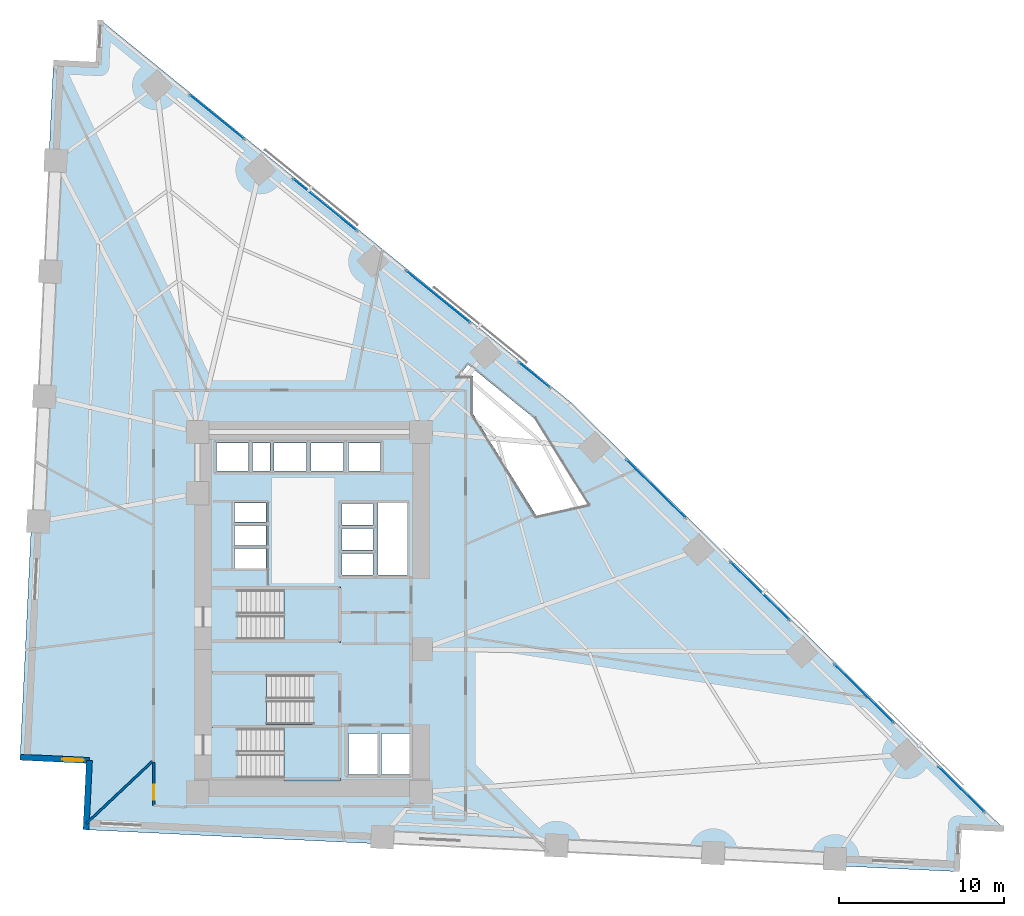
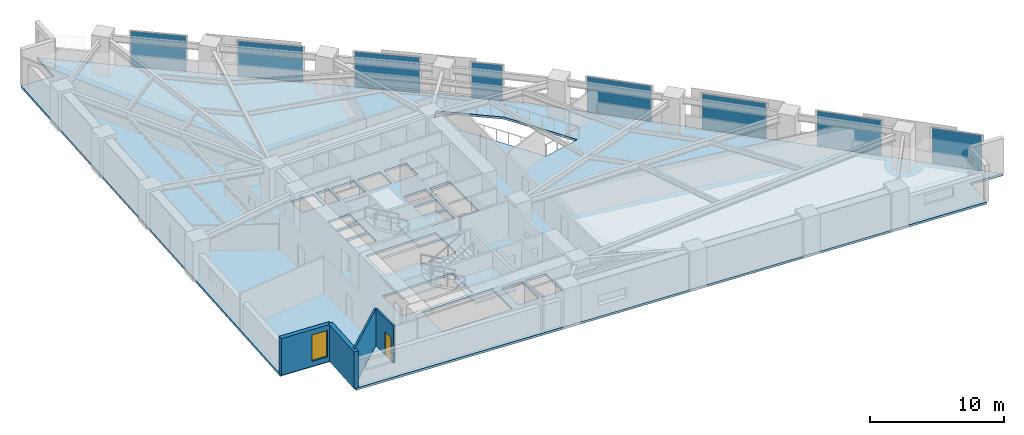
# One storey, part 12 of 17: 8 plates, 4 slabs, 4 walls, 1 door, 1 window, 2 openings, 11 elements without a shape of their own.
"""IFC4 building model written with IfcOpenShell, lengths in metres."""

import ifcopenshell
import ifcopenshell.guid

model = None  # the IFC model being written
_history = None  # IfcOwnerHistory: only IFC2X3 demands one
_inside = {}  # id of a spatial element -> (the spatial element, [elements in it])
_under = {}  # id of a project, library or spatial element -> (it, [spatial elements below it])
_declared = {}  # id of a project -> (the project, [libraries it declares])
_typed = {}  # id of a type object -> (the type object, [elements of that type])
_made_of = {}  # id of a material, layer set ... -> (it, [elements and type objects made of it])


def new_model(schema):
    """Start an empty IFC model of exactly this schema.

    Asked for "IFC4X3", IfcOpenShell would pick the latest addendum, in which some entities
    have other attributes; the version numbers below select the first issue.
    IFC2X3 requires an IfcOwnerHistory on every rooted entity: one is made here for all.
    """
    global model, _history
    if schema == "IFC4X3":
        model = ifcopenshell.file(schema_version=(4, 3, 0, 0))
    else:
        model = ifcopenshell.file(schema=schema)
    _inside.clear()
    _under.clear()
    _declared.clear()
    _typed.clear()
    _made_of.clear()
    _history = None
    if model.schema == "IFC2X3":
        org = make("IfcOrganization", Name="unknown")
        user = make(
            "IfcPersonAndOrganization",
            ThePerson=make("IfcPerson", FamilyName="unknown"),
            TheOrganization=org,
        )
        app = make(
            "IfcApplication",
            ApplicationDeveloper=org,
            Version="unknown",
            ApplicationFullName="unknown",
            ApplicationIdentifier="unknown",
        )
        _history = make(
            "IfcOwnerHistory",
            OwningUser=user,
            OwningApplication=app,
            ChangeAction="ADDED",
            CreationDate=0,
        )
    return model


def make(cls, **values):
    """One entity of the class cls with the attributes given. An attribute that is None is left unset."""
    return model.create_entity(
        cls, **{name: value for name, value in values.items() if value is not None}
    )


def rooted(cls, **values):
    """An entity with a GlobalId (a new one), such as an element, a storey or a relation."""
    return make(cls, GlobalId=ifcopenshell.guid.new(), OwnerHistory=_history, **values)


def si_unit(unit_type, name, prefix=None):
    """IfcSIUnit, for example si_unit("LENGTHUNIT", "METRE", prefix="MILLI")."""
    return make("IfcSIUnit", UnitType=unit_type, Prefix=prefix, Name=name)


def assignment(units):
    """IfcUnitAssignment: the units of a project."""
    return None if units is None else make("IfcUnitAssignment", Units=units)


def point(xyz):
    """IfcCartesianPoint."""
    return None if xyz is None else make("IfcCartesianPoint", Coordinates=xyz)


def direction(xyz):
    """IfcDirection."""
    return None if xyz is None else make("IfcDirection", DirectionRatios=xyz)


def frame(location, z_axis=None, x_axis=None):
    """IfcAxis2Placement3D, a coordinate frame: its origin and axes. An axis left out is left unset."""
    return make(
        "IfcAxis2Placement3D",
        Location=point(location),
        Axis=direction(z_axis),
        RefDirection=direction(x_axis),
    )


def frame_2d(location, x_axis=None):
    """IfcAxis2Placement2D, a coordinate frame in the plane: its origin and x axis."""
    return make(
        "IfcAxis2Placement2D", Location=point(location), RefDirection=direction(x_axis)
    )


def origin():
    """The frame at (0, 0, 0) with its axes left unset."""
    return frame((0.0, 0.0, 0.0))


def origin_2d():
    """The frame at (0, 0) in the plane with its x axis left unset."""
    return frame_2d((0.0, 0.0))


def place(relative_to, where):
    """IfcLocalPlacement: puts the frame where relative to a parent placement (None: the world)."""
    return make(
        "IfcLocalPlacement", PlacementRelTo=relative_to, RelativePlacement=where
    )


def context(
    kind, dimensions, precision=None, world=None, true_north=None, identifier=None
):
    """IfcGeometricRepresentationContext, for example the 3D "Model" context."""
    return make(
        "IfcGeometricRepresentationContext",
        ContextIdentifier=identifier,
        ContextType=kind,
        CoordinateSpaceDimension=dimensions,
        Precision=precision,
        WorldCoordinateSystem=world,
        TrueNorth=true_north,
    )


def subcontext(parent, identifier, kind, view, scale=None):
    """IfcGeometricRepresentationSubContext, for example "Body" below "Model"."""
    return make(
        "IfcGeometricRepresentationSubContext",
        ContextIdentifier=identifier,
        ContextType=kind,
        ParentContext=parent,
        TargetScale=scale,
        TargetView=view,
    )


def project(units=None, contexts=None):
    """IfcProject with its units and contexts."""
    return rooted(
        "IfcProject",
        Name="project",
        RepresentationContexts=contexts,
        UnitsInContext=assignment(units),
    )


def spatial(cls, under=None, at=None, **own):
    """A site, building, storey or space (cls), placed at a placement, below another one or the project."""
    s = rooted(cls, ObjectPlacement=at, **own)
    if under is not None:
        _under.setdefault(under.id(), (under, []))[1].append(s)
    return s


def polyline(points):
    """IfcPolyline through the points."""
    return make("IfcPolyline", Points=[point(p) for p in points])


def profile(cls, at=None, kind="AREA", **sizes):
    """A parametric profile (cls). Its sizes go by their IFC names, for example OverallWidth=200.0."""
    return make(cls, ProfileType=kind, Position=at, **sizes)


def rectangle(**sizes):
    """IfcRectangleProfileDef."""
    return profile("IfcRectangleProfileDef", **sizes)


def outline(outer, holes=None, kind="AREA"):
    """IfcArbitraryClosedProfileDef: a profile drawn as a closed curve; with holes, ...WithVoids."""
    if holes is None:
        return make("IfcArbitraryClosedProfileDef", ProfileType=kind, OuterCurve=outer)
    return make(
        "IfcArbitraryProfileDefWithVoids",
        ProfileType=kind,
        OuterCurve=outer,
        InnerCurves=holes,
    )


def extrude(swept, where, along, depth):
    """IfcExtrudedAreaSolid: the profile swept, set in the frame where, extruded along a direction by depth."""
    return make(
        "IfcExtrudedAreaSolid",
        SweptArea=swept,
        Position=where,
        ExtrudedDirection=direction(along),
        Depth=depth,
    )


def shape(context_of_items, identifier, shape_type, items):
    """IfcShapeRepresentation: the items that make up one representation, for example the "Body"."""
    return make(
        "IfcShapeRepresentation",
        ContextOfItems=context_of_items,
        RepresentationIdentifier=identifier,
        RepresentationType=shape_type,
        Items=items,
    )


def material(Name=None, Category=None):
    """IfcMaterial."""
    return make("IfcMaterial", Name=Name, Category=Category)


def layer(
    of_material, thickness, ventilated=None, Name=None, Category=None, Priority=None
):
    """IfcMaterialLayer: one layer of a wall or slab, of a material (None: an air gap)."""
    return make(
        "IfcMaterialLayer",
        Material=of_material,
        LayerThickness=thickness,
        IsVentilated=ventilated,
        Name=Name,
        Category=Category,
        Priority=Priority,
    )


def layer_set(layers, Name=None):
    """IfcMaterialLayerSet."""
    return make("IfcMaterialLayerSet", MaterialLayers=layers, LayerSetName=Name)


def made_of(thing, what):
    """Note that an element or type object is made of a material, layer set ...; save() writes the relation."""
    if what is not None:
        _made_of.setdefault(what.id(), (what, []))[1].append(thing)
    return thing


def type_object(cls, material=None, **own):
    """A type object (cls), such as IfcWallType, which elements share."""
    return made_of(rooted(cls, **own), material)


def element(
    cls,
    number,
    at=None,
    inside=None,
    cuts=None,
    type_object=None,
    material=None,
    context=None,
    identifier="Body",
    shape_type=None,
    held_by="IfcProductDefinitionShape",
    body=None,
    shapes=None,
    **own,
):
    """One element of the class cls, such as IfcWall. Its Tag is "e" and its number.

    at: its placement. inside: the storey or other place that contains it. cuts: it is an
    opening in that element (IfcRelVoidsElement). A single representation is given by context,
    identifier, shape_type and body (its items); several are given by shapes. held_by: the class
    of the entity that holds the representations. save() writes the other relations.
    """
    e = rooted(cls, Tag="e%d" % number, ObjectPlacement=at, **own)
    if body is not None:
        shapes = [shape(context, identifier, shape_type, body)]
    if shapes is not None:
        e.Representation = make(held_by, Representations=shapes)
    if inside is not None:
        _inside.setdefault(inside.id(), (inside, []))[1].append(e)
    if cuts is not None:
        rooted(
            "IfcRelVoidsElement", RelatingBuildingElement=cuts, RelatedOpeningElement=e
        )
    if type_object is not None:
        _typed.setdefault(type_object.id(), (type_object, []))[1].append(e)
    return made_of(e, material)


def fill(opening, filler):
    """IfcRelFillsElement: the door or window that sits in an opening."""
    return rooted(
        "IfcRelFillsElement",
        RelatingOpeningElement=opening,
        RelatedBuildingElement=filler,
    )


def aggregate(whole, parts):
    """IfcRelAggregates: a whole, such as a stair, and the parts it consists of."""
    return rooted("IfcRelAggregates", RelatingObject=whole, RelatedObjects=parts)


def save(model, path):
    """Write the relations noted so far, then the file.

    IfcRelAggregates (storeys below a building ...), IfcRelContainedInSpatialStructure (elements
    in a storey), IfcRelDefinesByType, IfcRelAssociatesMaterial and IfcRelDeclares: one each for
    every whole, place, type object, material and project.
    """
    for whole, parts in _under.values():
        aggregate(whole, parts)
    for where, things in _inside.values():
        rooted(
            "IfcRelContainedInSpatialStructure",
            RelatedElements=things,
            RelatingStructure=where,
        )
    for kind, things in _typed.values():
        rooted("IfcRelDefinesByType", RelatedObjects=things, RelatingType=kind)
    for what, things in _made_of.values():
        rooted("IfcRelAssociatesMaterial", RelatedObjects=things, RelatingMaterial=what)
    for by, libraries in _declared.values():
        rooted("IfcRelDeclares", RelatingContext=by, RelatedDefinitions=libraries)
    model.write(path)


model = new_model("IFC4")

# Units and contexts
model_context = context("Model", 3, precision=1e-05, world=origin(), true_north=direction((0.0, 1.0)))
body_context = subcontext(model_context, "Body", "Model", "MODEL_VIEW")
ifc_project = project(units=[si_unit("LENGTHUNIT", "METRE"), si_unit("AREAUNIT", "SQUARE_METRE"), si_unit("VOLUMEUNIT", "CUBIC_METRE"), si_unit("PLANEANGLEUNIT", "RADIAN"), si_unit("MASSUNIT", "GRAM", prefix="KILO")], contexts=[model_context])

# Site, building, storey
site_placement = place(None, origin())
site = spatial("IfcSite", under=ifc_project, at=site_placement, CompositionType="ELEMENT")
building_placement = place(site_placement, origin())
building = spatial("IfcBuilding", under=site, at=building_placement, Name="Narakoshi Arena Tower", CompositionType="ELEMENT")
storey_placement = place(building_placement, frame((0.0, 0.0, 33.89990234375)))
storey = spatial("IfcBuildingStorey", under=building, at=storey_placement, Name="L08", CompositionType="ELEMENT", Elevation=33.89990234375)

# Curtain wall, plate
ifc_material_1 = material(Name="Anodised bronze aluminium 6063-T6", Category="aluminium")
curtain_wall_type = type_object("IfcCurtainWallType", Name="CW-HYP-LOW", PredefinedType="NOTDEFINED", material=ifc_material_1)
curtain_wall_1_placement = place(storey_placement, origin())
curtain_wall_1 = element("IfcCurtainWall", 1, at=curtain_wall_1_placement, inside=storey, type_object=curtain_wall_type, Name="L08 Folded Hypotenuse Curtain Wall 1-1", PredefinedType="NOTDEFINED")
ifc_material_2 = material(Name="Bronze-tinted low-E laminated glass", Category="glass")
ifc_layer_1 = layer(ifc_material_2, 0.031982421875)
ifc_layer_set_1 = layer_set([ifc_layer_1], Name="Bronze-tinted low-E laminated glass")
plate_type = type_object("IfcPlateType", Name="PLT-GLZ-32", PredefinedType="CURTAIN_PANEL", material=ifc_layer_set_1)
plate_1_placement = place(storey_placement, frame((118.277587890625, 34.8505859375, 0.065185546875), z_axis=(0.0, 0.0, 1.0), x_axis=(-0.712541277695, 0.701630192894, 0.0)))
plate_1 = element("IfcPlate", 2, at=plate_1_placement, type_object=plate_type, Name="CW-01 panel 1.1", PredefinedType="CURTAIN_PANEL", context=body_context, shape_type="SweptSolid", body=[
    extrude(rectangle(XDim=3.85498046875, YDim=0.031982421875, at=origin_2d()), origin(), (0.0, 0.0, 1.0), 3.2099609375),
])
aggregate(curtain_wall_1, [plate_1])

curtain_wall_2_placement = place(storey_placement, origin())
curtain_wall_2 = element("IfcCurtainWall", 3, at=curtain_wall_2_placement, inside=storey, type_object=curtain_wall_type, Name="L08 Folded Hypotenuse Curtain Wall 1-2", PredefinedType="NOTDEFINED")
plate_2_placement = place(storey_placement, frame((112.375, 40.66259765625, 0.065185546875), z_axis=(0.0, 0.0, 1.0), x_axis=(-0.712548329451, 0.701623031404, 0.0)))
plate_2 = element("IfcPlate", 4, at=plate_2_placement, type_object=plate_type, Name="CW-01 panel 1.1", PredefinedType="CURTAIN_PANEL", context=body_context, shape_type="SweptSolid", body=[
    extrude(rectangle(XDim=4.966552734375, YDim=0.031982421875, at=origin_2d()), origin(), (0.0, 0.0, 1.0), 3.2099609375),
])
aggregate(curtain_wall_2, [plate_2])

curtain_wall_3_placement = place(storey_placement, origin())
curtain_wall_3 = element("IfcCurtainWall", 5, at=curtain_wall_3_placement, inside=storey, type_object=curtain_wall_type, Name="L08 Folded Hypotenuse Curtain Wall 1-3", PredefinedType="NOTDEFINED")
plate_3_placement = place(storey_placement, frame((106.07666015625, 46.864501953125, 0.065185546875), z_axis=(0.0, 0.0, 1.0), x_axis=(-0.712538708053, 0.701632802488, 0.0)))
plate_3 = element("IfcPlate", 6, at=plate_3_placement, type_object=plate_type, Name="CW-01 panel 1.1", PredefinedType="CURTAIN_PANEL", context=body_context, shape_type="SweptSolid", body=[
    extrude(rectangle(XDim=4.966552734375, YDim=0.031982421875, at=origin_2d()), origin(), (0.0, 0.0, 1.0), 3.2099609375),
])
aggregate(curtain_wall_3, [plate_3])

curtain_wall_4_placement = place(storey_placement, origin())
curtain_wall_4 = element("IfcCurtainWall", 7, at=curtain_wall_4_placement, inside=storey, type_object=curtain_wall_type, Name="L08 Folded Hypotenuse Curtain Wall 1-4", PredefinedType="NOTDEFINED")
plate_4_placement = place(storey_placement, frame((99.7783203125, 53.06640625, 0.065185546875), z_axis=(0.0, 0.0, 1.0), x_axis=(-0.712538708053, 0.701632802488, 0.0)))
plate_4 = element("IfcPlate", 8, at=plate_4_placement, type_object=plate_type, Name="CW-01 panel 1.1", PredefinedType="CURTAIN_PANEL", context=body_context, shape_type="SweptSolid", body=[
    extrude(rectangle(XDim=4.966552734375, YDim=0.031982421875, at=origin_2d()), origin(), (0.0, 0.0, 1.0), 3.2099609375),
])
aggregate(curtain_wall_4, [plate_4])

curtain_wall_5_placement = place(storey_placement, origin())
curtain_wall_5 = element("IfcCurtainWall", 9, at=curtain_wall_5_placement, inside=storey, type_object=curtain_wall_type, Name="L08 Folded Hypotenuse Curtain Wall 2-1", PredefinedType="NOTDEFINED")
plate_5_placement = place(storey_placement, frame((92.40087890625, 59.964111328125, 0.065185546875), z_axis=(0.0, 0.0, 1.0), x_axis=(-0.776007918256, 0.63072316495, 0.0)))
plate_5 = element("IfcPlate", 10, at=plate_5_placement, type_object=plate_type, Name="CW-01 panel 1.1", PredefinedType="CURTAIN_PANEL", context=body_context, shape_type="SweptSolid", body=[
    extrude(rectangle(XDim=2.35888671875, YDim=0.031982421875, at=origin_2d()), origin(), (0.0, 0.0, 1.0), 3.2099609375),
])
aggregate(curtain_wall_5, [plate_5])

curtain_wall_6_placement = place(storey_placement, origin())
curtain_wall_6 = element("IfcCurtainWall", 11, at=curtain_wall_6_placement, inside=storey, type_object=curtain_wall_type, Name="L08 Folded Hypotenuse Curtain Wall 2-2", PredefinedType="NOTDEFINED")
plate_6_placement = place(storey_placement, frame((86.566650390625, 64.7060546875, 0.065185546875), z_axis=(0.0, 0.0, 1.0), x_axis=(-0.775998434519, 0.630734833051, 0.0)))
plate_6 = element("IfcPlate", 12, at=plate_6_placement, type_object=plate_type, Name="CW-01 panel 1.1", PredefinedType="CURTAIN_PANEL", context=body_context, shape_type="SweptSolid", body=[
    extrude(rectangle(XDim=4.932373046875, YDim=0.031982421875, at=origin_2d()), origin(), (0.0, 0.0, 1.0), 3.2099609375),
])
aggregate(curtain_wall_6, [plate_6])

curtain_wall_7_placement = place(storey_placement, origin())
curtain_wall_7 = element("IfcCurtainWall", 13, at=curtain_wall_7_placement, inside=storey, type_object=curtain_wall_type, Name="L08 Folded Hypotenuse Curtain Wall 2-3", PredefinedType="NOTDEFINED")
plate_7_placement = place(storey_placement, frame((79.73388671875, 70.259765625, 0.065185546875), z_axis=(0.0, 0.0, 1.0), x_axis=(-0.776008064665, 0.630722984816, 0.0)))
plate_7 = element("IfcPlate", 14, at=plate_7_placement, type_object=plate_type, Name="CW-01 panel 1.1", PredefinedType="CURTAIN_PANEL", context=body_context, shape_type="SweptSolid", body=[
    extrude(rectangle(XDim=4.932373046875, YDim=0.031982421875, at=origin_2d()), origin(), (0.0, 0.0, 1.0), 3.2099609375),
])
aggregate(curtain_wall_7, [plate_7])

curtain_wall_8_placement = place(storey_placement, origin())
curtain_wall_8 = element("IfcCurtainWall", 15, at=curtain_wall_8_placement, inside=storey, type_object=curtain_wall_type, Name="L08 Folded Hypotenuse Curtain Wall 2-4", PredefinedType="NOTDEFINED")
plate_8_placement = place(storey_placement, frame((73.18603515625, 75.58203125, 0.065185546875), z_axis=(0.0, 0.0, 1.0), x_axis=(-0.775999332044, 0.630733728817, 0.0)))
plate_8 = element("IfcPlate", 16, at=plate_8_placement, type_object=plate_type, Name="CW-01 panel 1.1", PredefinedType="CURTAIN_PANEL", context=body_context, shape_type="SweptSolid", body=[
    extrude(rectangle(XDim=4.198486328125, YDim=0.031982421875, at=origin_2d()), origin(), (0.0, 0.0, 1.0), 3.2099609375),
])
aggregate(curtain_wall_8, [plate_8])

# Stair, slab
ifc_material_3 = material(Name="Concrete C45/55", Category="concrete")
stair_type = type_object("IfcStairType", Name="STR-CORE-360", PredefinedType="TWO_STRAIGHT_RUN_STAIR", material=ifc_material_3)
stair_1_placement = place(storey_placement, origin())
stair_1 = element("IfcStair", 17, at=stair_1_placement, inside=storey, type_object=stair_type, Name="L08 Core Escape Stair ST1", PredefinedType="TWO_STRAIGHT_RUN_STAIR")
ifc_layer_2 = layer(ifc_material_3, 0.18994140625)
ifc_layer_set_2 = layer_set([ifc_layer_2], Name="Concrete C45/55")
slab_type_1 = type_object("IfcSlabType", Name="SLB-LND-190", PredefinedType="LANDING", material=ifc_layer_set_2)
slab_1_placement = place(storey_placement, frame((0.0, 0.0, 1.610107421875)))
slab_1 = element("IfcSlab", 18, at=slab_1_placement, type_object=slab_type_1, Name="ST1 landing 1", PredefinedType="LANDING", context=body_context, shape_type="SweptSolid", body=[
    extrude(outline(polyline([(77.25, 35.3701171875), (80.679931640625, 35.3701171875), (80.679931640625, 38.72998046875), (77.25, 38.72998046875), (77.25, 35.3701171875)])), origin(), (0.0, 0.0, 1.0), 0.18994140625),
])
aggregate(stair_1, [slab_1])

stair_2_placement = place(storey_placement, origin())
stair_2 = element("IfcStair", 19, at=stair_2_placement, inside=storey, type_object=stair_type, Name="L08 Core Escape Stair ST2", PredefinedType="TWO_STRAIGHT_RUN_STAIR")
slab_2_placement = place(storey_placement, frame((0.0, 0.0, 1.610107421875)))
slab_2 = element("IfcSlab", 20, at=slab_2_placement, type_object=slab_type_1, Name="ST2 landing 1", PredefinedType="LANDING", context=body_context, shape_type="SweptSolid", body=[
    extrude(outline(polyline([(72.77001953125, 38.6201171875), (76.199951171875, 38.6201171875), (76.199951171875, 41.97998046875), (72.77001953125, 41.97998046875), (72.77001953125, 38.6201171875)])), origin(), (0.0, 0.0, 1.0), 0.18994140625),
])
aggregate(stair_2, [slab_2])

stair_3_placement = place(storey_placement, origin())
stair_3 = element("IfcStair", 21, at=stair_3_placement, inside=storey, type_object=stair_type, Name="L08 Core Escape Stair ST3", PredefinedType="TWO_STRAIGHT_RUN_STAIR")
slab_3_placement = place(storey_placement, frame((0.0, 0.0, 1.610107421875)))
slab_3 = element("IfcSlab", 22, at=slab_3_placement, type_object=slab_type_1, Name="ST3 landing 1", PredefinedType="LANDING", context=body_context, shape_type="SweptSolid", body=[
    extrude(outline(polyline([(77.25, 43.77001953125), (80.679931640625, 43.77001953125), (80.679931640625, 47.1298828125), (77.25, 47.1298828125), (77.25, 43.77001953125)])), origin(), (0.0, 0.0, 1.0), 0.18994140625),
])
aggregate(stair_3, [slab_3])

# Slab
ifc_layer_3 = layer(ifc_material_3, 0.199951171875)
ifc_layer_set_3 = layer_set([ifc_layer_3], Name="Concrete C45/55")
slab_type_2 = type_object("IfcSlabType", Name="SLB-TWR-200", PredefinedType="FLOOR", material=ifc_layer_set_3)
slab_4_placement = place(storey_placement, frame((0.0, 0.0, -0.199951171875)))
element("IfcSlab", 23, at=slab_4_placement, inside=storey, type_object=slab_type_2, Name="L08 Structural Floor Slab", PredefinedType="FLOOR", context=body_context, shape_type="SweptSolid", body=[
    extrude(outline(polyline([(65.26025390625, 32.416015625), (117.99951171875, 29.8828125), (118.130615234375, 32.609619140625), (120.857421875, 32.478515625), (94.614013671875, 58.31982421875), (66.144287109375, 81.4599609375), (66.013427734375, 78.733154296875), (63.28662109375, 78.8642578125), (61.2666015625, 36.8125), (65.4619140625, 36.611083984375), (65.26025390625, 32.416015625)]), holes=[polyline([(74.47998046875, 35.550048828125), (74.47998046875, 38.550048828125), (80.5, 38.550048828125), (80.5, 35.550048828125), (74.47998046875, 35.550048828125)]), polyline([(81.14990234375, 35.75), (81.14990234375, 38.25), (82.89990234375, 38.25), (82.89990234375, 35.75), (81.14990234375, 35.75)]), polyline([(83.14990234375, 35.75), (83.14990234375, 38.25), (84.89990234375, 38.25), (84.89990234375, 35.75), (83.14990234375, 35.75)]), polyline([(72.949951171875, 38.800048828125), (72.949951171875, 41.800048828125), (78.969970703125, 41.800048828125), (78.969970703125, 38.800048828125), (72.949951171875, 38.800048828125)]), polyline([(74.47998046875, 43.949951171875), (74.47998046875, 46.949951171875), (80.5, 46.949951171875), (80.5, 43.949951171875), (74.47998046875, 43.949951171875)]), polyline([(82.949951171875, 47.840087890625), (82.949951171875, 52.199951171875), (84.699951171875, 52.199951171875), (84.699951171875, 47.840087890625), (82.949951171875, 47.840087890625)]), polyline([(80.75, 47.85009765625), (80.75, 49.14990234375), (82.64990234375, 49.14990234375), (82.64990234375, 47.85009765625), (80.75, 47.85009765625)]), polyline([(74.25, 48.25), (74.25, 49.449951171875), (76.14990234375, 49.449951171875), (76.14990234375, 48.25), (74.25, 48.25)]), polyline([(80.75, 49.3701171875), (80.75, 50.669921875), (82.64990234375, 50.669921875), (82.64990234375, 49.3701171875), (80.75, 49.3701171875)]), polyline([(74.25, 49.64990234375), (74.25, 50.85009765625), (76.14990234375, 50.85009765625), (76.14990234375, 49.64990234375), (74.25, 49.64990234375)]), polyline([(80.75, 50.889892578125), (80.75, 52.18994140625), (82.64990234375, 52.18994140625), (82.64990234375, 50.889892578125), (80.75, 50.889892578125)]), polyline([(74.25, 51.050048828125), (74.25, 52.2099609375), (76.14990234375, 52.2099609375), (76.14990234375, 51.050048828125), (74.25, 51.050048828125)]), polyline([(95.6357421875, 52.126708984375), (92.53662109375, 51.4306640625), (88.699951171875, 57.60693359375), (88.699951171875, 59.89990234375), (87.83251953125, 59.89990234375), (88.399169921875, 60.600830078125), (92.3837890625, 57.3623046875), (95.6357421875, 52.126708984375)]), polyline([(73.14990234375, 54.14990234375), (73.14990234375, 55.85009765625), (75.10009765625, 55.85009765625), (75.10009765625, 54.14990234375), (73.14990234375, 54.14990234375)]), polyline([(75.35009765625, 55.85009765625), (76.39990234375, 55.85009765625), (76.39990234375, 54.14990234375), (75.35009765625, 54.14990234375), (75.35009765625, 55.85009765625)]), polyline([(76.64990234375, 55.85009765625), (78.60009765625, 55.85009765625), (78.60009765625, 54.14990234375), (76.64990234375, 54.14990234375), (76.64990234375, 55.85009765625)]), polyline([(78.89990234375, 54.14990234375), (78.89990234375, 55.85009765625), (80.85009765625, 55.85009765625), (80.85009765625, 54.14990234375), (78.89990234375, 54.14990234375)]), polyline([(81.14990234375, 55.85009765625), (83.10009765625, 55.85009765625), (83.10009765625, 54.14990234375), (81.14990234375, 54.14990234375), (81.14990234375, 55.85009765625)])]), origin(), (0.0, 0.0, 1.0), 0.199951171875),
])

# Wall, opening, window
ifc_material_4 = material(Name="Precast concrete C45/55", Category="concrete")
ifc_layer_4 = layer(ifc_material_4, 0.419921875)
ifc_layer_set_4 = layer_set([ifc_layer_4], Name="Precast concrete C45/55")
wall_type_1 = type_object("IfcWallType", Name="WL-POD-420", PredefinedType="SOLIDWALL", material=ifc_layer_set_4)
wall_1_placement = place(storey_placement, frame((61.2666015625, 36.8125, 0.0), z_axis=(0.0, 0.0, 1.0), x_axis=(0.998849519138, -0.047954542207, 0.0)))
wall_1 = element("IfcWall", 24, at=wall_1_placement, inside=storey, type_object=wall_type_1, Name="L08 Re-Entrant Corner Notch Wall NTA-1", PredefinedType="SOLIDWALL", context=body_context, shape_type="SweptSolid", body=[
    extrude(rectangle(XDim=4.2001953125, YDim=0.360107421875, at=frame_2d((2.10009765625, 0.0))), origin(), (0.0, 0.0, 1.0), 3.340087890625),
])
opening_1_placement = place(wall_1_placement, frame((2.559814453125, 0.0, 0.449951171875)))
opening_1 = element("IfcOpeningElement", 25, at=opening_1_placement, cuts=wall_1, Name="Opening WN-06", PredefinedType="OPENING", context=body_context, shape_type="SweptSolid", body=[
    extrude(rectangle(XDim=1.300048828125, YDim=2.39990234375, at=frame_2d((0.64990234375, 1.199951171875))), frame((0.0, 0.18994140625, 0.0), z_axis=(0.0, -1.0, 0.0), x_axis=(1.0, 0.0, 0.0)), (0.0, 0.0, 1.0), 0.380126953125),
])
window_type = type_object("IfcWindowType", Name="WIN-NTC-16x24", PartitioningType="SINGLE_PANEL", PredefinedType="WINDOW", material=ifc_material_2)
window_placement = place(opening_1_placement, origin())
window = element("IfcWindow", 26, at=window_placement, inside=storey, type_object=window_type, Name="L08 Corner Notch Window NTA", OverallHeight=2.39990234375, OverallWidth=1.300048828125, PartitioningType="SINGLE_PANEL", PredefinedType="WINDOW", context=body_context, shape_type="SweptSolid", body=[
    extrude(rectangle(XDim=1.300048828125, YDim=2.39990234375, at=frame_2d((0.64990234375, 1.199951171875))), frame((0.0, 0.030029296875, 0.0), z_axis=(0.0, -1.0, 0.0), x_axis=(1.0, 0.0, 0.0)), (0.0, 0.0, 1.0), 0.06005859375),
])
fill(opening_1, window)

# Walls
wall_2_placement = place(storey_placement, frame((65.4619140625, 36.611083984375, 0.0), z_axis=(0.0, 0.0, 1.0), x_axis=(-0.048015322758, -0.998846599224, 0.0)))
element("IfcWall", 27, at=wall_2_placement, inside=storey, type_object=wall_type_1, Name="L08 Re-Entrant Corner Notch Wall NTA-2", PredefinedType="SOLIDWALL", context=body_context, shape_type="SweptSolid", body=[
    extrude(rectangle(XDim=4.199951171875, YDim=0.360107421875, at=frame_2d((2.10009765625, 0.0))), origin(), (0.0, 0.0, 1.0), 3.340087890625),
])
ifc_material_5 = material(Name="Moisture-resistant cement-board partition")
ifc_layer_5 = layer(ifc_material_5, 0.14501953125)
ifc_layer_set_5 = layer_set([ifc_layer_5], Name="Moisture-resistant cement-board partition")
wall_type_2 = type_object("IfcWallType", Name="WL-WET-145", PredefinedType="PARTITIONING", material=ifc_layer_set_5)
wall_3_placement = place(storey_placement, frame((69.28369140625, 36.566162109375, 0.0), z_axis=(0.0, 0.0, 1.0), x_axis=(-0.728310768674, -0.685246980463, 0.0)))
element("IfcWall", 28, at=wall_3_placement, inside=storey, type_object=wall_type_2, Name="L08 Inter-Room Partition 01-02", PredefinedType="PARTITIONING", context=body_context, shape_type="SweptSolid", body=[
    extrude(rectangle(XDim=5.499267578125, YDim=0.14501953125, at=frame_2d((2.74951171875, 0.0))), origin(), (0.0, 0.0, 1.0), 3.340087890625),
])

# Wall, opening, door
wall_4_placement = place(storey_placement, frame((69.357421875, 36.4921875, 0.0), z_axis=(0.0, 0.0, 1.0), x_axis=(0.0, -1.0, 0.0)))
wall_4 = element("IfcWall", 29, at=wall_4_placement, inside=storey, type_object=wall_type_2, Name="L08 Corridor Partition 02-1", PredefinedType="PARTITIONING", context=body_context, shape_type="SweptSolid", body=[
    extrude(rectangle(XDim=2.62109375, YDim=0.14501953125, at=frame_2d((1.310546875, 0.0))), origin(), (0.0, 0.0, 1.0), 3.340087890625),
])
opening_2_placement = place(wall_4_placement, frame((1.362548828125, 0.0, 0.0)))
opening_2 = element("IfcOpeningElement", 30, at=opening_2_placement, cuts=wall_4, Name="Opening D-08", PredefinedType="OPENING", context=body_context, shape_type="SweptSolid", body=[
    extrude(rectangle(XDim=0.89990234375, YDim=2.10009765625, at=frame_2d((0.449951171875, 1.050048828125))), frame((0.0, 0.08251953125, 0.0), z_axis=(0.0, -1.0, 0.0), x_axis=(1.0, 0.0, 0.0)), (0.0, 0.0, 1.0), 0.1650390625),
])
ifc_material_6 = material(Name="Moisture-resistant laminate timber", Category="wood")
door_type = type_object("IfcDoorType", Name="DR-WC-900", OperationType="NOTDEFINED", PredefinedType="DOOR", material=ifc_material_6)
door_placement = place(opening_2_placement, frame((0.89990234375, 0.0, 0.0), z_axis=(0.0, 0.0, 1.0), x_axis=(-1.0, 0.0, 0.0)))
door = element("IfcDoor", 31, at=door_placement, inside=storey, type_object=door_type, Name="DR-L08-015", OperationType="SINGLE_SWING_LEFT", OverallHeight=2.10009765625, OverallWidth=0.89990234375, PredefinedType="DOOR", context=body_context, shape_type="SweptSolid", body=[
    extrude(rectangle(XDim=0.89990234375, YDim=2.10009765625, at=frame_2d((0.449951171875, 1.050048828125))), frame((0.0, 0.02490234375, 0.0), z_axis=(0.0, -1.0, 0.0), x_axis=(1.0, 0.0, 0.0)), (0.0, 0.0, 1.0), 0.050048828125),
])
fill(opening_2, door)

save(model, "model.ifc")
